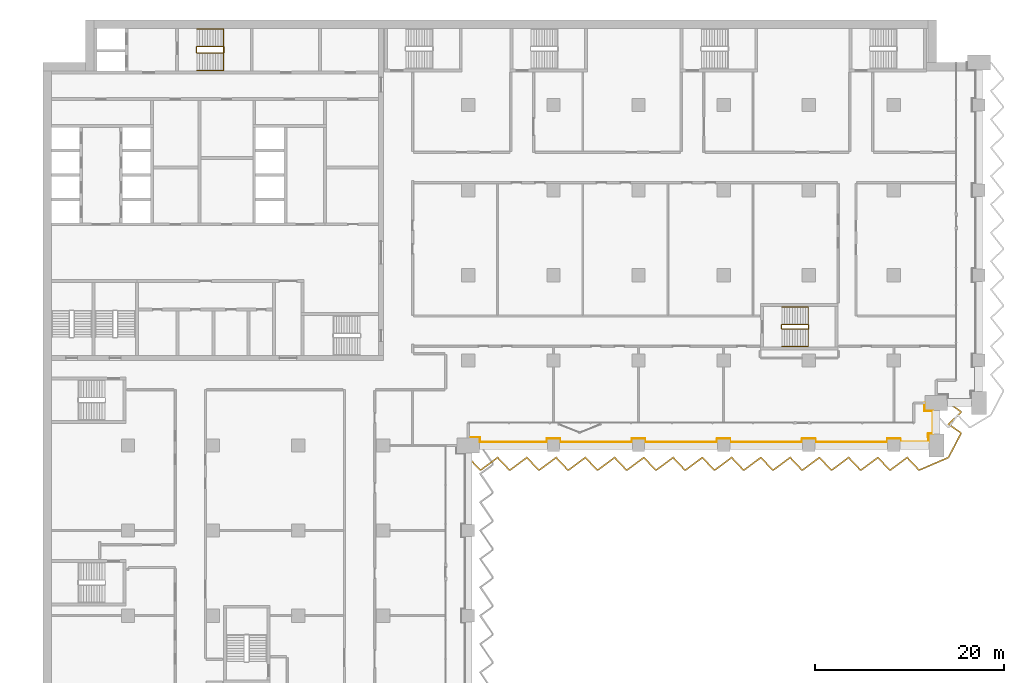
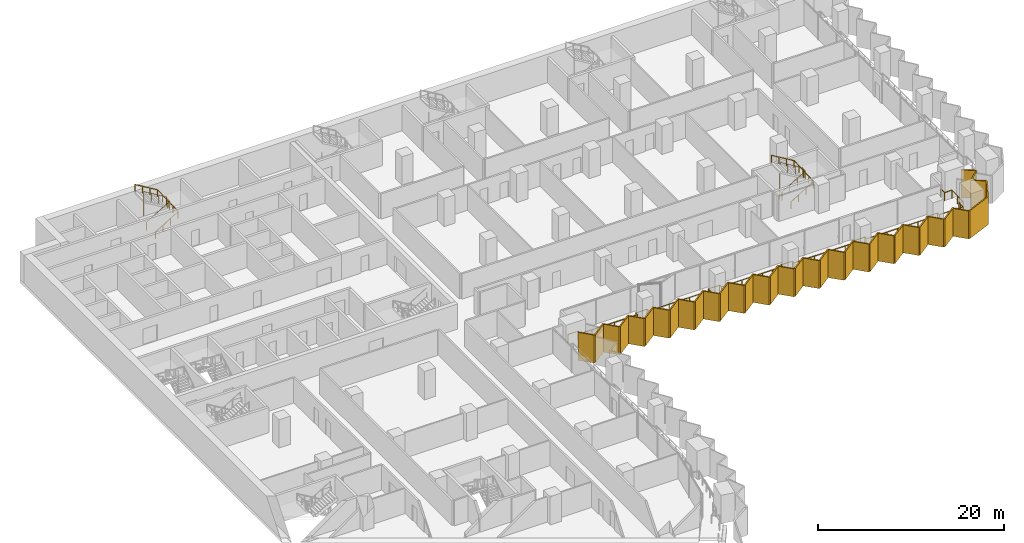
# One storey, part 26 of 28: 5 railings, 1 shading device.
"""IFC4 building model written with IfcOpenShell, lengths in metres."""

from ifc_helpers import new_model, si_unit, direction, frame, origin, origin_2d, place, context, subcontext, project, spatial, polyline, circle, outline, extrude, material, layer, layer_set, type_object, element, save


model = new_model("IFC4")

# Units and contexts
model_context = context("Model", 3, precision=1e-05, world=origin(), true_north=direction((0.0, 1.0)))
body_context = subcontext(model_context, "Body", "Model", "MODEL_VIEW")
ifc_project = project(units=[si_unit("LENGTHUNIT", "METRE"), si_unit("AREAUNIT", "SQUARE_METRE"), si_unit("VOLUMEUNIT", "CUBIC_METRE"), si_unit("PLANEANGLEUNIT", "RADIAN"), si_unit("MASSUNIT", "GRAM", prefix="KILO")], contexts=[model_context])

# Site, building, storey
site_placement = place(None, origin())
site = spatial("IfcSite", under=ifc_project, at=site_placement, CompositionType="ELEMENT")
building_placement = place(site_placement, origin())
building = spatial("IfcBuilding", under=site, at=building_placement, Name="Hunhe Ridgeline Campus", CompositionType="ELEMENT")
storey_placement = place(building_placement, frame((0.0, 0.0, 43.199951171875)))
storey = spatial("IfcBuildingStorey", under=building, at=storey_placement, Name="L09", CompositionType="ELEMENT", Elevation=43.199951171875)

# Railing
ifc_material_1 = material(Name="Steel Q355", Category="steel")
railing_type_1 = type_object("IfcRailingType", Name="Loggia guard 1100 Steel Q355", PredefinedType="GUARDRAIL", material=ifc_material_1)
railing_1_placement = place(storey_placement, frame((45.0, 54.8701171875, 0.0)))
element("IfcRailing", 1, at=railing_1_placement, inside=storey, type_object=railing_type_1, Name="Loggia guard 2", PredefinedType="GUARDRAIL", context=body_context, shape_type="SweptSolid", body=[
    extrude(circle(Radius=0.02392578125, at=origin_2d()), frame((0.0, 0.0, 1.076171875), z_axis=(1.0, 0.0, 0.0), x_axis=(0.0, 1.0, 0.0)), (0.0, 0.0, 1.0), 1.25),
    extrude(circle(Radius=0.02392578125, at=origin_2d()), frame((1.25, 0.0, 1.076171875), z_axis=(0.0, -1.0, 0.0), x_axis=(1.0, 0.0, 0.0)), (0.0, 0.0, 1.0), 0.52001953125),
    extrude(circle(Radius=0.02392578125, at=origin_2d()), frame((1.25, -0.52001953125, 1.076171875), z_axis=(1.0, 0.0, 0.0), x_axis=(0.0, 1.0, 0.0)), (0.0, 0.0, 1.0), 7.050048828125),
    extrude(circle(Radius=0.02392578125, at=origin_2d()), frame((8.300048828125, -0.52001953125, 1.076171875), z_axis=(0.0, 1.0, 0.0), x_axis=(-1.0, 0.0, 0.0)), (0.0, 0.0, 1.0), 0.369873046875),
    extrude(circle(Radius=0.02392578125, at=origin_2d()), frame((8.300048828125, -0.150146484375, 1.076171875), z_axis=(1.0, 0.0, 0.0), x_axis=(0.0, 1.0, 0.0)), (0.0, 0.0, 1.0), 1.39990234375),
    extrude(circle(Radius=0.02392578125, at=origin_2d()), frame((9.699951171875, -0.150146484375, 1.076171875), z_axis=(0.0, -1.0, 0.0), x_axis=(1.0, 0.0, 0.0)), (0.0, 0.0, 1.0), 0.369873046875),
    extrude(circle(Radius=0.02392578125, at=origin_2d()), frame((9.699951171875, -0.52001953125, 1.076171875), z_axis=(1.0, 0.0, 0.0), x_axis=(0.0, 1.0, 0.0)), (0.0, 0.0, 1.0), 7.60009765625),
    extrude(circle(Radius=0.02392578125, at=origin_2d()), frame((17.300048828125, -0.52001953125, 1.076171875), z_axis=(0.0, 1.0, 0.0), x_axis=(-1.0, 0.0, 0.0)), (0.0, 0.0, 1.0), 0.369873046875),
    extrude(circle(Radius=0.02392578125, at=origin_2d()), frame((17.300048828125, -0.150146484375, 1.076171875), z_axis=(1.0, 0.0, 0.0), x_axis=(0.0, 1.0, 0.0)), (0.0, 0.0, 1.0), 1.39990234375),
    extrude(circle(Radius=0.02392578125, at=origin_2d()), frame((18.699951171875, -0.150146484375, 1.076171875), z_axis=(0.0, -1.0, 0.0), x_axis=(1.0, 0.0, 0.0)), (0.0, 0.0, 1.0), 0.369873046875),
    extrude(circle(Radius=0.02392578125, at=origin_2d()), frame((18.699951171875, -0.52001953125, 1.076171875), z_axis=(1.0, 0.0, 0.0), x_axis=(0.0, 1.0, 0.0)), (0.0, 0.0, 1.0), 7.60009765625),
    extrude(circle(Radius=0.02392578125, at=origin_2d()), frame((26.300048828125, -0.52001953125, 1.076171875), z_axis=(0.0, 1.0, 0.0), x_axis=(-1.0, 0.0, 0.0)), (0.0, 0.0, 1.0), 0.369873046875),
    extrude(circle(Radius=0.02392578125, at=origin_2d()), frame((26.300048828125, -0.150146484375, 1.076171875), z_axis=(1.0, 0.0, 0.0), x_axis=(0.0, 1.0, 0.0)), (0.0, 0.0, 1.0), 1.39990234375),
    extrude(circle(Radius=0.02392578125, at=origin_2d()), frame((27.699951171875, -0.150146484375, 1.076171875), z_axis=(0.0, -1.0, 0.0), x_axis=(1.0, 0.0, 0.0)), (0.0, 0.0, 1.0), 0.369873046875),
    extrude(circle(Radius=0.02392578125, at=origin_2d()), frame((27.699951171875, -0.52001953125, 1.076171875), z_axis=(1.0, 0.0, 0.0), x_axis=(0.0, 1.0, 0.0)), (0.0, 0.0, 1.0), 7.60009765625),
    extrude(circle(Radius=0.02392578125, at=origin_2d()), frame((35.300048828125, -0.52001953125, 1.076171875), z_axis=(0.0, 1.0, 0.0), x_axis=(-1.0, 0.0, 0.0)), (0.0, 0.0, 1.0), 0.369873046875),
    extrude(circle(Radius=0.02392578125, at=origin_2d()), frame((35.300048828125, -0.150146484375, 1.076171875), z_axis=(1.0, 0.0, 0.0), x_axis=(0.0, 1.0, 0.0)), (0.0, 0.0, 1.0), 1.39990234375),
    extrude(circle(Radius=0.02392578125, at=origin_2d()), frame((36.699951171875, -0.150146484375, 1.076171875), z_axis=(0.0, -1.0, 0.0), x_axis=(1.0, 0.0, 0.0)), (0.0, 0.0, 1.0), 0.369873046875),
    extrude(circle(Radius=0.02392578125, at=origin_2d()), frame((36.699951171875, -0.52001953125, 1.076171875), z_axis=(1.0, 0.0, 0.0), x_axis=(0.0, 1.0, 0.0)), (0.0, 0.0, 1.0), 7.60009765625),
    extrude(circle(Radius=0.02392578125, at=origin_2d()), frame((44.300048828125, -0.52001953125, 1.076171875), z_axis=(0.0, 1.0, 0.0), x_axis=(-1.0, 0.0, 0.0)), (0.0, 0.0, 1.0), 0.369873046875),
    extrude(circle(Radius=0.02392578125, at=origin_2d()), frame((44.300048828125, -0.150146484375, 1.076171875), z_axis=(1.0, 0.0, 0.0), x_axis=(0.0, 1.0, 0.0)), (0.0, 0.0, 1.0), 1.39990234375),
    extrude(circle(Radius=0.02392578125, at=origin_2d()), frame((45.699951171875, -0.150146484375, 1.076171875), z_axis=(0.0, -1.0, 0.0), x_axis=(1.0, 0.0, 0.0)), (0.0, 0.0, 1.0), 0.369873046875),
    extrude(circle(Radius=0.02392578125, at=origin_2d()), frame((45.699951171875, -0.52001953125, 1.076171875), z_axis=(1.0, 0.0, 0.0), x_axis=(0.0, 1.0, 0.0)), (0.0, 0.0, 1.0), 2.949951171875),
    extrude(circle(Radius=0.02392578125, at=origin_2d()), frame((48.64990234375, -0.52001953125, 1.076171875), z_axis=(0.0, 1.0, 0.0), x_axis=(-1.0, 0.0, 0.0)), (0.0, 0.0, 1.0), 0.919921875),
    extrude(circle(Radius=0.02392578125, at=origin_2d()), frame((48.64990234375, 0.39990234375, 1.076171875), z_axis=(-0.049998438503, -0.998749295943, 0.0), x_axis=(0.998749295943, -0.049998438503, 0.0)), (0.0, 0.0, 1.0), 0.400390625),
    extrude(circle(Radius=0.02392578125, at=origin_2d()), frame((48.6298828125, 0.0, 1.076171875), z_axis=(0.0, 1.0, 0.0), x_axis=(-1.0, 0.0, 0.0)), (0.0, 0.0, 1.0), 0.3798828125),
    extrude(circle(Radius=0.02392578125, at=origin_2d()), frame((48.6298828125, 0.3798828125, 1.076171875), z_axis=(1.0, 0.0, 0.0), x_axis=(0.0, 1.0, 0.0)), (0.0, 0.0, 1.0), 0.52001953125),
    extrude(circle(Radius=0.02392578125, at=origin_2d()), frame((49.14990234375, 0.3798828125, 1.076171875), z_axis=(0.0, 1.0, 0.0), x_axis=(-1.0, 0.0, 0.0)), (0.0, 0.0, 1.0), 2.39990234375),
    extrude(circle(Radius=0.02392578125, at=origin_2d()), frame((49.14990234375, 2.77978515625, 1.076171875), z_axis=(-1.0, 0.0, 0.0), x_axis=(0.0, -1.0, 0.0)), (0.0, 0.0, 1.0), 0.919921875),
    extrude(circle(Radius=0.02392578125, at=origin_2d()), frame((48.22998046875, 2.77978515625, 1.076171875), z_axis=(0.0, 1.0, 0.0), x_axis=(-1.0, 0.0, 0.0)), (0.0, 0.0, 1.0), 0.85009765625),
    extrude(circle(Radius=0.02099609375, at=origin_2d()), origin(), (0.0, 0.0, 1.0), 1.052001953125),
    extrude(circle(Radius=0.02099609375, at=origin_2d()), frame((1.25, 0.0, 0.0)), (0.0, 0.0, 1.0), 1.052001953125),
    extrude(circle(Radius=0.02099609375, at=origin_2d()), frame((1.25, -0.52001953125, 0.0)), (0.0, 0.0, 1.0), 1.052001953125),
    extrude(circle(Radius=0.02099609375, at=origin_2d()), frame((2.659912109375, -0.52001953125, 0.0)), (0.0, 0.0, 1.0), 1.052001953125),
    extrude(circle(Radius=0.02099609375, at=origin_2d()), frame((4.070068359375, -0.52001953125, 0.0)), (0.0, 0.0, 1.0), 1.052001953125),
    extrude(circle(Radius=0.02099609375, at=origin_2d()), frame((5.47998046875, -0.52001953125, 0.0)), (0.0, 0.0, 1.0), 1.052001953125),
    extrude(circle(Radius=0.02099609375, at=origin_2d()), frame((6.89013671875, -0.52001953125, 0.0)), (0.0, 0.0, 1.0), 1.052001953125),
    extrude(circle(Radius=0.02099609375, at=origin_2d()), frame((8.300048828125, -0.52001953125, 0.0)), (0.0, 0.0, 1.0), 1.052001953125),
    extrude(circle(Radius=0.02099609375, at=origin_2d()), frame((8.300048828125, -0.150146484375, 0.0)), (0.0, 0.0, 1.0), 1.052001953125),
    extrude(circle(Radius=0.02099609375, at=origin_2d()), frame((9.699951171875, -0.150146484375, 0.0)), (0.0, 0.0, 1.0), 1.052001953125),
    extrude(circle(Radius=0.02099609375, at=origin_2d()), frame((9.699951171875, -0.52001953125, 0.0)), (0.0, 0.0, 1.0), 1.052001953125),
    extrude(circle(Radius=0.02099609375, at=origin_2d()), frame((10.966552734375, -0.52001953125, 0.0)), (0.0, 0.0, 1.0), 1.052001953125),
    extrude(circle(Radius=0.02099609375, at=origin_2d()), frame((12.2333984375, -0.52001953125, 0.0)), (0.0, 0.0, 1.0), 1.052001953125),
    extrude(circle(Radius=0.02099609375, at=origin_2d()), frame((13.5, -0.52001953125, 0.0)), (0.0, 0.0, 1.0), 1.052001953125),
    extrude(circle(Radius=0.02099609375, at=origin_2d()), frame((14.7666015625, -0.52001953125, 0.0)), (0.0, 0.0, 1.0), 1.052001953125),
    extrude(circle(Radius=0.02099609375, at=origin_2d()), frame((16.033447265625, -0.52001953125, 0.0)), (0.0, 0.0, 1.0), 1.052001953125),
    extrude(circle(Radius=0.02099609375, at=origin_2d()), frame((17.300048828125, -0.52001953125, 0.0)), (0.0, 0.0, 1.0), 1.052001953125),
    extrude(circle(Radius=0.02099609375, at=origin_2d()), frame((17.300048828125, -0.150146484375, 0.0)), (0.0, 0.0, 1.0), 1.052001953125),
    extrude(circle(Radius=0.02099609375, at=origin_2d()), frame((18.699951171875, -0.150146484375, 0.0)), (0.0, 0.0, 1.0), 1.052001953125),
    extrude(circle(Radius=0.02099609375, at=origin_2d()), frame((18.699951171875, -0.52001953125, 0.0)), (0.0, 0.0, 1.0), 1.052001953125),
    extrude(circle(Radius=0.02099609375, at=origin_2d()), frame((19.966552734375, -0.52001953125, 0.0)), (0.0, 0.0, 1.0), 1.052001953125),
    extrude(circle(Radius=0.02099609375, at=origin_2d()), frame((21.2333984375, -0.52001953125, 0.0)), (0.0, 0.0, 1.0), 1.052001953125),
    extrude(circle(Radius=0.02099609375, at=origin_2d()), frame((22.5, -0.52001953125, 0.0)), (0.0, 0.0, 1.0), 1.052001953125),
    extrude(circle(Radius=0.02099609375, at=origin_2d()), frame((23.7666015625, -0.52001953125, 0.0)), (0.0, 0.0, 1.0), 1.052001953125),
    extrude(circle(Radius=0.02099609375, at=origin_2d()), frame((25.033447265625, -0.52001953125, 0.0)), (0.0, 0.0, 1.0), 1.052001953125),
    extrude(circle(Radius=0.02099609375, at=origin_2d()), frame((26.300048828125, -0.52001953125, 0.0)), (0.0, 0.0, 1.0), 1.052001953125),
    extrude(circle(Radius=0.02099609375, at=origin_2d()), frame((26.300048828125, -0.150146484375, 0.0)), (0.0, 0.0, 1.0), 1.052001953125),
    extrude(circle(Radius=0.02099609375, at=origin_2d()), frame((27.699951171875, -0.150146484375, 0.0)), (0.0, 0.0, 1.0), 1.052001953125),
    extrude(circle(Radius=0.02099609375, at=origin_2d()), frame((27.699951171875, -0.52001953125, 0.0)), (0.0, 0.0, 1.0), 1.052001953125),
    extrude(circle(Radius=0.02099609375, at=origin_2d()), frame((28.966552734375, -0.52001953125, 0.0)), (0.0, 0.0, 1.0), 1.052001953125),
    extrude(circle(Radius=0.02099609375, at=origin_2d()), frame((30.2333984375, -0.52001953125, 0.0)), (0.0, 0.0, 1.0), 1.052001953125),
    extrude(circle(Radius=0.02099609375, at=origin_2d()), frame((31.5, -0.52001953125, 0.0)), (0.0, 0.0, 1.0), 1.052001953125),
    extrude(circle(Radius=0.02099609375, at=origin_2d()), frame((32.7666015625, -0.52001953125, 0.0)), (0.0, 0.0, 1.0), 1.052001953125),
    extrude(circle(Radius=0.02099609375, at=origin_2d()), frame((34.033447265625, -0.52001953125, 0.0)), (0.0, 0.0, 1.0), 1.052001953125),
    extrude(circle(Radius=0.02099609375, at=origin_2d()), frame((35.300048828125, -0.52001953125, 0.0)), (0.0, 0.0, 1.0), 1.052001953125),
    extrude(circle(Radius=0.02099609375, at=origin_2d()), frame((35.300048828125, -0.150146484375, 0.0)), (0.0, 0.0, 1.0), 1.052001953125),
    extrude(circle(Radius=0.02099609375, at=origin_2d()), frame((36.699951171875, -0.150146484375, 0.0)), (0.0, 0.0, 1.0), 1.052001953125),
    extrude(circle(Radius=0.02099609375, at=origin_2d()), frame((36.699951171875, -0.52001953125, 0.0)), (0.0, 0.0, 1.0), 1.052001953125),
    extrude(circle(Radius=0.02099609375, at=origin_2d()), frame((37.966552734375, -0.52001953125, 0.0)), (0.0, 0.0, 1.0), 1.052001953125),
    extrude(circle(Radius=0.02099609375, at=origin_2d()), frame((39.2333984375, -0.52001953125, 0.0)), (0.0, 0.0, 1.0), 1.052001953125),
    extrude(circle(Radius=0.02099609375, at=origin_2d()), frame((40.5, -0.52001953125, 0.0)), (0.0, 0.0, 1.0), 1.052001953125),
    extrude(circle(Radius=0.02099609375, at=origin_2d()), frame((41.7666015625, -0.52001953125, 0.0)), (0.0, 0.0, 1.0), 1.052001953125),
    extrude(circle(Radius=0.02099609375, at=origin_2d()), frame((43.033447265625, -0.52001953125, 0.0)), (0.0, 0.0, 1.0), 1.052001953125),
    extrude(circle(Radius=0.02099609375, at=origin_2d()), frame((44.300048828125, -0.52001953125, 0.0)), (0.0, 0.0, 1.0), 1.052001953125),
    extrude(circle(Radius=0.02099609375, at=origin_2d()), frame((44.300048828125, -0.150146484375, 0.0)), (0.0, 0.0, 1.0), 1.052001953125),
    extrude(circle(Radius=0.02099609375, at=origin_2d()), frame((45.699951171875, -0.150146484375, 0.0)), (0.0, 0.0, 1.0), 1.052001953125),
    extrude(circle(Radius=0.02099609375, at=origin_2d()), frame((45.699951171875, -0.52001953125, 0.0)), (0.0, 0.0, 1.0), 1.052001953125),
    extrude(circle(Radius=0.02099609375, at=origin_2d()), frame((47.1748046875, -0.52001953125, 0.0)), (0.0, 0.0, 1.0), 1.052001953125),
    extrude(circle(Radius=0.02099609375, at=origin_2d()), frame((48.64990234375, -0.52001953125, 0.0)), (0.0, 0.0, 1.0), 1.052001953125),
    extrude(circle(Radius=0.02099609375, at=origin_2d()), frame((48.64990234375, 0.39990234375, 0.0)), (0.0, 0.0, 1.0), 1.052001953125),
    extrude(circle(Radius=0.02099609375, at=origin_2d()), frame((48.6298828125, 0.0, 0.0)), (0.0, 0.0, 1.0), 1.052001953125),
    extrude(circle(Radius=0.02099609375, at=origin_2d()), frame((48.6298828125, 0.3798828125, 0.0)), (0.0, 0.0, 1.0), 1.052001953125),
    extrude(circle(Radius=0.02099609375, at=origin_2d()), frame((49.14990234375, 0.3798828125, 0.0)), (0.0, 0.0, 1.0), 1.052001953125),
    extrude(circle(Radius=0.02099609375, at=origin_2d()), frame((49.14990234375, 1.579833984375, 0.0)), (0.0, 0.0, 1.0), 1.052001953125),
    extrude(circle(Radius=0.02099609375, at=origin_2d()), frame((49.14990234375, 2.77978515625, 0.0)), (0.0, 0.0, 1.0), 1.052001953125),
    extrude(circle(Radius=0.02099609375, at=origin_2d()), frame((48.22998046875, 2.77978515625, 0.0)), (0.0, 0.0, 1.0), 1.052001953125),
    extrude(circle(Radius=0.02099609375, at=origin_2d()), frame((48.22998046875, 3.6298828125, 0.0)), (0.0, 0.0, 1.0), 1.052001953125),
])

# Shading device
ifc_material_2 = material(Name="Concrete C50", Category="concrete")
ifc_layer = layer(ifc_material_2, 0.14990234375)
ifc_layer_set = layer_set([ifc_layer], Name="Sawtooth concrete fin 150 Concrete C50")
shading_device_type = type_object("IfcShadingDeviceType", Name="Sawtooth concrete fin 150 Concrete C50", PredefinedType="USERDEFINED", material=ifc_layer_set)
shading_device_placement = place(storey_placement, frame((0.0, 0.0, -0.949951171875)))
element("IfcShadingDevice", 2, at=shading_device_placement, inside=storey, type_object=shading_device_type, Name="Concrete fin screen 2", ObjectType="FIN", PredefinedType="USERDEFINED", context=body_context, shape_type="SweptSolid", body=[
    extrude(outline(polyline([(45.054443359375, 52.7763671875), (44.945556640625, 52.673583984375), (46.19384765625, 51.35009765625), (46.370849609375, 51.35009765625), (48.0849609375, 52.625), (49.28759765625, 51.35009765625), (49.464599609375, 51.35009765625), (51.1787109375, 52.625), (52.38134765625, 51.35009765625), (52.558349609375, 51.35009765625), (54.2724609375, 52.625), (55.47509765625, 51.35009765625), (55.652099609375, 51.35009765625), (57.3662109375, 52.625), (58.56884765625, 51.35009765625), (58.745849609375, 51.35009765625), (60.4599609375, 52.625), (61.66259765625, 51.35009765625), (61.839599609375, 51.35009765625), (63.5537109375, 52.625), (64.75634765625, 51.35009765625), (64.933349609375, 51.35009765625), (66.6474609375, 52.625), (67.85009765625, 51.35009765625), (68.027099609375, 51.35009765625), (69.7412109375, 52.625), (70.94384765625, 51.35009765625), (71.120849609375, 51.35009765625), (72.8349609375, 52.625), (74.03759765625, 51.35009765625), (74.214599609375, 51.35009765625), (75.9287109375, 52.625), (77.13134765625, 51.35009765625), (77.308349609375, 51.35009765625), (79.0224609375, 52.625), (80.22509765625, 51.35009765625), (80.402099609375, 51.35009765625), (82.1162109375, 52.625), (83.31884765625, 51.35009765625), (83.495849609375, 51.35009765625), (85.2099609375, 52.625), (86.41259765625, 51.35009765625), (86.589599609375, 51.35009765625), (88.3037109375, 52.625), (89.50634765625, 51.35009765625), (89.683349609375, 51.35009765625), (91.3974609375, 52.625), (92.60009765625, 51.35009765625), (92.767822265625, 51.35009765625), (95.8291015625, 52.666748046875), (97.14990234375, 55.207763671875), (97.14990234375, 55.38525390625), (95.8935546875, 56.2587890625), (97.14990234375, 57.44384765625), (97.14990234375, 57.63525390625), (95.81787109375, 58.5615234375), (95.732177734375, 58.4384765625), (97.0, 57.556884765625), (97.0, 57.508544921875), (95.65625, 56.2412109375), (97.0, 55.306884765625), (97.0, 55.244384765625), (95.720703125, 52.783447265625), (92.73681640625, 51.5), (92.664794921875, 51.5), (91.4150390625, 52.824951171875), (89.6337890625, 51.5), (89.571044921875, 51.5), (88.3212890625, 52.824951171875), (86.5400390625, 51.5), (86.477294921875, 51.5), (85.2275390625, 52.824951171875), (83.4462890625, 51.5), (83.383544921875, 51.5), (82.1337890625, 52.824951171875), (80.3525390625, 51.5), (80.289794921875, 51.5), (79.0400390625, 52.824951171875), (77.2587890625, 51.5), (77.196044921875, 51.5), (75.9462890625, 52.824951171875), (74.1650390625, 51.5), (74.102294921875, 51.5), (72.8525390625, 52.824951171875), (71.0712890625, 51.5), (71.008544921875, 51.5), (69.7587890625, 52.824951171875), (67.9775390625, 51.5), (67.914794921875, 51.5), (66.6650390625, 52.824951171875), (64.8837890625, 51.5), (64.821044921875, 51.5), (63.5712890625, 52.824951171875), (61.7900390625, 51.5), (61.727294921875, 51.5), (60.4775390625, 52.824951171875), (58.6962890625, 51.5), (58.633544921875, 51.5), (57.3837890625, 52.824951171875), (55.6025390625, 51.5), (55.539794921875, 51.5), (54.2900390625, 52.824951171875), (52.5087890625, 51.5), (52.446044921875, 51.5), (51.1962890625, 52.824951171875), (49.4150390625, 51.5), (49.352294921875, 51.5), (48.1025390625, 52.824951171875), (46.3212890625, 51.5), (46.258544921875, 51.5), (45.054443359375, 52.7763671875)])), origin(), (0.0, 0.0, 1.0), 3.64990234375),
])

# Railings
ifc_material_3 = material(Name="Stainless steel balustrade", Category="steel")
railing_type_2 = type_object("IfcRailingType", Name="Stair guard 1100 stainless", PredefinedType="GUARDRAIL", material=ifc_material_3)
railing_2_placement = place(storey_placement, frame((16.300048828125, 95.5, 0.168212890625)))
element("IfcRailing", 3, at=railing_2_placement, inside=storey, type_object=railing_type_2, Name="L09 stair S1 guard", PredefinedType="GUARDRAIL", context=body_context, shape_type="SweptSolid", body=[
    extrude(circle(Radius=0.02392578125, at=origin_2d()), frame((0.0, 0.0, 1.076171875), z_axis=(0.857242210791, 0.0, 0.514913383045), x_axis=(0.0, 1.0, 0.0)), (0.0, 0.0, 1.0), 3.266357421875),
    extrude(circle(Radius=0.02392578125, at=origin_2d()), frame((2.800048828125, 0.0, 2.7578125), z_axis=(0.705375805398, 0.708833529934, 0.0), x_axis=(-0.708833529934, 0.705375805398, 0.0)), (0.0, 0.0, 1.0), 0.070556640625),
    extrude(circle(Radius=0.02392578125, at=origin_2d()), frame((2.849853515625, 0.050048828125, 2.7578125), z_axis=(0.0, 1.0, 0.0), x_axis=(-1.0, 0.0, 0.0)), (0.0, 0.0, 1.0), 0.599853515625),
    extrude(circle(Radius=0.02392578125, at=origin_2d()), frame((2.849853515625, 0.64990234375, 2.7578125), z_axis=(-0.273006030465, 0.27434429532, 0.922064485248), x_axis=(-0.708833529934, -0.705375805398, 0.0)), (0.0, 0.0, 1.0), 0.182373046875),
    extrude(circle(Radius=0.02392578125, at=origin_2d()), frame((2.800048828125, 0.699951171875, 2.92626953125), z_axis=(-0.857275202839, 0.0, 0.514858452973), x_axis=(0.0, -1.0, 0.0)), (0.0, 0.0, 1.0), 3.26611328125),
    extrude(circle(Radius=0.02392578125, at=origin_2d()), frame((0.0, 0.699951171875, 4.60791015625), z_axis=(-0.013524414389, -0.013524414389, -0.999817073484), x_axis=(0.707106781187, -0.707106781187, 0.0)), (0.0, 0.0, 1.0), 3.70068359375),
    extrude(circle(Radius=0.02392578125, at=origin_2d()), frame((-0.050048828125, 0.64990234375, 0.90771484375), z_axis=(0.0, -1.0, 0.0), x_axis=(1.0, 0.0, 0.0)), (0.0, 0.0, 1.0), 0.599853515625),
    extrude(circle(Radius=0.02099609375, at=origin_2d()), origin(), (0.0, 0.0, 1.0), 1.052001953125),
    extrude(circle(Radius=0.02099609375, at=origin_2d()), frame((0.933349609375, 0.0, 0.560546875)), (0.0, 0.0, 1.0), 1.052001953125),
    extrude(circle(Radius=0.02099609375, at=origin_2d()), frame((1.86669921875, 0.0, 1.121337890625)), (0.0, 0.0, 1.0), 1.052001953125),
    extrude(circle(Radius=0.02099609375, at=origin_2d()), frame((2.800048828125, 0.0, 1.681884765625)), (0.0, 0.0, 1.0), 1.052001953125),
    extrude(circle(Radius=0.02099609375, at=origin_2d()), frame((2.849853515625, 0.050048828125, 1.681884765625)), (0.0, 0.0, 1.0), 1.052001953125),
    extrude(circle(Radius=0.02099609375, at=origin_2d()), frame((2.849853515625, 0.64990234375, 1.681884765625)), (0.0, 0.0, 1.0), 1.052001953125),
    extrude(circle(Radius=0.02099609375, at=origin_2d()), frame((2.800048828125, 0.699951171875, 1.85009765625)), (0.0, 0.0, 1.0), 1.052001953125),
    extrude(circle(Radius=0.02099609375, at=origin_2d()), frame((1.86669921875, 0.699951171875, 2.41064453125)), (0.0, 0.0, 1.0), 1.052001953125),
    extrude(circle(Radius=0.02099609375, at=origin_2d()), frame((0.933349609375, 0.699951171875, 2.97119140625)), (0.0, 0.0, 1.0), 1.052001953125),
    extrude(circle(Radius=0.02099609375, at=origin_2d()), frame((0.0, 0.699951171875, 3.53173828125)), (0.0, 0.0, 1.0), 1.052001953125),
    extrude(circle(Radius=0.02099609375, at=origin_2d()), frame((-0.012451171875, 0.6875, 2.606689453125)), (0.0, 0.0, 1.0), 1.052001953125),
    extrude(circle(Radius=0.02099609375, at=origin_2d()), frame((-0.02490234375, 0.6748046875, 1.681640625)), (0.0, 0.0, 1.0), 1.052001953125),
    extrude(circle(Radius=0.02099609375, at=origin_2d()), frame((-0.03759765625, 0.662353515625, 0.7568359375)), (0.0, 0.0, 1.0), 1.052001953125),
    extrude(circle(Radius=0.02099609375, at=origin_2d()), frame((-0.050048828125, 0.64990234375, -0.168212890625)), (0.0, 0.0, 1.0), 1.052001953125),
    extrude(circle(Radius=0.02099609375, at=origin_2d()), frame((-0.050048828125, 0.050048828125, -0.168212890625)), (0.0, 0.0, 1.0), 1.052001953125),
])
railing_3_placement = place(storey_placement, frame((78.14990234375, 66.300048828125, 0.168212890625)))
element("IfcRailing", 4, at=railing_3_placement, inside=storey, type_object=railing_type_2, Name="L09 stair E5 guard", PredefinedType="GUARDRAIL", context=body_context, shape_type="SweptSolid", body=[
    extrude(circle(Radius=0.02392578125, at=origin_2d()), frame((0.0, 0.0, 1.076171875), z_axis=(0.857242210791, 0.0, 0.514913383045), x_axis=(0.0, 1.0, 0.0)), (0.0, 0.0, 1.0), 3.266357421875),
    extrude(circle(Radius=0.02392578125, at=origin_2d()), frame((2.800048828125, 0.0, 2.7578125), z_axis=(0.707106781187, 0.707106781187, 0.0), x_axis=(-0.707106781187, 0.707106781187, 0.0)), (0.0, 0.0, 1.0), 0.07080078125),
    extrude(circle(Radius=0.02392578125, at=origin_2d()), frame((2.85009765625, 0.050048828125, 2.7578125), z_axis=(0.0, 1.0, 0.0), x_axis=(-1.0, 0.0, 0.0)), (0.0, 0.0, 1.0), 0.39990234375),
    extrude(circle(Radius=0.02392578125, at=origin_2d()), frame((2.85009765625, 0.449951171875, 2.7578125), z_axis=(-0.274243871929, 0.274243871929, 0.92172696468), x_axis=(-0.707106781187, -0.707106781187, 0.0)), (0.0, 0.0, 1.0), 0.1826171875),
    extrude(circle(Radius=0.02392578125, at=origin_2d()), frame((2.800048828125, 0.5, 2.92626953125), z_axis=(-0.857275202839, 0.0, 0.514858452973), x_axis=(0.0, -1.0, 0.0)), (0.0, 0.0, 1.0), 3.26611328125),
    extrude(circle(Radius=0.02392578125, at=origin_2d()), frame((0.0, 0.5, 4.60791015625), z_axis=(-0.013458453615, -0.013524426427, -0.999817963389), x_axis=(0.708833529934, -0.705375805398, 0.0)), (0.0, 0.0, 1.0), 3.70068359375),
    extrude(circle(Radius=0.02392578125, at=origin_2d()), frame((-0.0498046875, 0.449951171875, 0.90771484375), z_axis=(0.0, -1.0, 0.0), x_axis=(1.0, 0.0, 0.0)), (0.0, 0.0, 1.0), 0.39990234375),
    extrude(circle(Radius=0.02099609375, at=origin_2d()), origin(), (0.0, 0.0, 1.0), 1.052001953125),
    extrude(circle(Radius=0.02099609375, at=origin_2d()), frame((0.933349609375, 0.0, 0.560546875)), (0.0, 0.0, 1.0), 1.052001953125),
    extrude(circle(Radius=0.02099609375, at=origin_2d()), frame((1.86669921875, 0.0, 1.121337890625)), (0.0, 0.0, 1.0), 1.052001953125),
    extrude(circle(Radius=0.02099609375, at=origin_2d()), frame((2.800048828125, 0.0, 1.681884765625)), (0.0, 0.0, 1.0), 1.052001953125),
    extrude(circle(Radius=0.02099609375, at=origin_2d()), frame((2.85009765625, 0.050048828125, 1.681884765625)), (0.0, 0.0, 1.0), 1.052001953125),
    extrude(circle(Radius=0.02099609375, at=origin_2d()), frame((2.85009765625, 0.449951171875, 1.681884765625)), (0.0, 0.0, 1.0), 1.052001953125),
    extrude(circle(Radius=0.02099609375, at=origin_2d()), frame((2.800048828125, 0.5, 1.85009765625)), (0.0, 0.0, 1.0), 1.052001953125),
    extrude(circle(Radius=0.02099609375, at=origin_2d()), frame((1.86669921875, 0.5, 2.41064453125)), (0.0, 0.0, 1.0), 1.052001953125),
    extrude(circle(Radius=0.02099609375, at=origin_2d()), frame((0.933349609375, 0.5, 2.97119140625)), (0.0, 0.0, 1.0), 1.052001953125),
    extrude(circle(Radius=0.02099609375, at=origin_2d()), frame((0.0, 0.5, 3.53173828125)), (0.0, 0.0, 1.0), 1.052001953125),
    extrude(circle(Radius=0.02099609375, at=origin_2d()), frame((-0.012451171875, 0.487548828125, 2.606689453125)), (0.0, 0.0, 1.0), 1.052001953125),
    extrude(circle(Radius=0.02099609375, at=origin_2d()), frame((-0.02490234375, 0.47509765625, 1.681640625)), (0.0, 0.0, 1.0), 1.052001953125),
    extrude(circle(Radius=0.02099609375, at=origin_2d()), frame((-0.037353515625, 0.46240234375, 0.7568359375)), (0.0, 0.0, 1.0), 1.052001953125),
    extrude(circle(Radius=0.02099609375, at=origin_2d()), frame((-0.0498046875, 0.449951171875, -0.168212890625)), (0.0, 0.0, 1.0), 1.052001953125),
    extrude(circle(Radius=0.02099609375, at=origin_2d()), frame((-0.0498046875, 0.050048828125, -0.168212890625)), (0.0, 0.0, 1.0), 1.052001953125),
])
ifc_material_4 = material(Name="Stainless steel handrail", Category="steel")
railing_type_3 = type_object("IfcRailingType", Name="Stair handrail 900 stainless", PredefinedType="HANDRAIL", material=ifc_material_4)
railing_4_placement = place(storey_placement, frame((16.300048828125, 93.64990234375, 0.168212890625)))
element("IfcRailing", 5, at=railing_4_placement, inside=storey, type_object=railing_type_3, Name="L09 stair S1 handrail", PredefinedType="HANDRAIL", context=body_context, shape_type="SweptSolid", body=[
    extrude(circle(Radius=0.02392578125, at=origin_2d()), frame((0.0, 0.0, 0.8759765625), z_axis=(0.857242210791, 0.0, 0.514913383045), x_axis=(0.0, 1.0, 0.0)), (0.0, 0.0, 1.0), 3.266357421875),
    extrude(circle(Radius=0.02392578125, at=origin_2d()), frame((2.800048828125, 0.0, 2.5576171875), z_axis=(0.0, 0.999270074432, 0.038201025428), x_axis=(-1.0, 0.0, 0.0)), (0.0, 0.0, 1.0), 4.4033203125),
    extrude(circle(Radius=0.02392578125, at=origin_2d()), frame((2.800048828125, 4.400146484375, 2.72607421875), z_axis=(-0.857275202839, 0.0, 0.514858452973), x_axis=(0.0, -1.0, 0.0)), (0.0, 0.0, 1.0), 3.26611328125),
    extrude(circle(Radius=0.02099609375, at=origin_2d()), origin(), (0.0, 0.0, 1.0), 0.851806640625),
    extrude(circle(Radius=0.02099609375, at=origin_2d()), frame((0.933349609375, 0.0, 0.560546875)), (0.0, 0.0, 1.0), 0.851806640625),
    extrude(circle(Radius=0.02099609375, at=origin_2d()), frame((1.86669921875, 0.0, 1.121337890625)), (0.0, 0.0, 1.0), 0.851806640625),
    extrude(circle(Radius=0.02099609375, at=origin_2d()), frame((2.800048828125, 0.0, 1.681884765625)), (0.0, 0.0, 1.0), 0.851806640625),
    extrude(circle(Radius=0.02099609375, at=origin_2d()), frame((2.800048828125, 1.10009765625, 1.723876953125)), (0.0, 0.0, 1.0), 0.851806640625),
    extrude(circle(Radius=0.02099609375, at=origin_2d()), frame((2.800048828125, 2.2001953125, 1.76611328125)), (0.0, 0.0, 1.0), 0.851806640625),
    extrude(circle(Radius=0.02099609375, at=origin_2d()), frame((2.800048828125, 3.300048828125, 1.80810546875)), (0.0, 0.0, 1.0), 0.851806640625),
    extrude(circle(Radius=0.02099609375, at=origin_2d()), frame((2.800048828125, 4.400146484375, 1.85009765625)), (0.0, 0.0, 1.0), 0.851806640625),
    extrude(circle(Radius=0.02099609375, at=origin_2d()), frame((1.86669921875, 4.400146484375, 2.41064453125)), (0.0, 0.0, 1.0), 0.851806640625),
    extrude(circle(Radius=0.02099609375, at=origin_2d()), frame((0.933349609375, 4.400146484375, 2.97119140625)), (0.0, 0.0, 1.0), 0.851806640625),
    extrude(circle(Radius=0.02099609375, at=origin_2d()), frame((0.0, 4.400146484375, 3.53173828125)), (0.0, 0.0, 1.0), 0.851806640625),
])
railing_5_placement = place(storey_placement, frame((78.14990234375, 64.449951171875, 0.168212890625)))
element("IfcRailing", 6, at=railing_5_placement, inside=storey, type_object=railing_type_3, Name="L09 stair E5 handrail", PredefinedType="HANDRAIL", context=body_context, shape_type="SweptSolid", body=[
    extrude(circle(Radius=0.02392578125, at=origin_2d()), frame((0.0, 0.0, 0.8759765625), z_axis=(0.857242210791, 0.0, 0.514913383045), x_axis=(0.0, 1.0, 0.0)), (0.0, 0.0, 1.0), 3.266357421875),
    extrude(circle(Radius=0.02392578125, at=origin_2d()), frame((2.800048828125, 0.0, 2.5576171875), z_axis=(0.0, 0.999198916169, 0.040019069537), x_axis=(-1.0, 0.0, 0.0)), (0.0, 0.0, 1.0), 4.203369140625),
    extrude(circle(Radius=0.02392578125, at=origin_2d()), frame((2.800048828125, 4.199951171875, 2.72607421875), z_axis=(-0.857275202839, 0.0, 0.514858452973), x_axis=(0.0, -1.0, 0.0)), (0.0, 0.0, 1.0), 3.26611328125),
    extrude(circle(Radius=0.02099609375, at=origin_2d()), origin(), (0.0, 0.0, 1.0), 0.851806640625),
    extrude(circle(Radius=0.02099609375, at=origin_2d()), frame((0.933349609375, 0.0, 0.560546875)), (0.0, 0.0, 1.0), 0.851806640625),
    extrude(circle(Radius=0.02099609375, at=origin_2d()), frame((1.86669921875, 0.0, 1.121337890625)), (0.0, 0.0, 1.0), 0.851806640625),
    extrude(circle(Radius=0.02099609375, at=origin_2d()), frame((2.800048828125, 0.0, 1.681884765625)), (0.0, 0.0, 1.0), 0.851806640625),
    extrude(circle(Radius=0.02099609375, at=origin_2d()), frame((2.800048828125, 1.050048828125, 1.723876953125)), (0.0, 0.0, 1.0), 0.851806640625),
    extrude(circle(Radius=0.02099609375, at=origin_2d()), frame((2.800048828125, 2.10009765625, 1.76611328125)), (0.0, 0.0, 1.0), 0.851806640625),
    extrude(circle(Radius=0.02099609375, at=origin_2d()), frame((2.800048828125, 3.14990234375, 1.80810546875)), (0.0, 0.0, 1.0), 0.851806640625),
    extrude(circle(Radius=0.02099609375, at=origin_2d()), frame((2.800048828125, 4.199951171875, 1.85009765625)), (0.0, 0.0, 1.0), 0.851806640625),
    extrude(circle(Radius=0.02099609375, at=origin_2d()), frame((1.86669921875, 4.199951171875, 2.41064453125)), (0.0, 0.0, 1.0), 0.851806640625),
    extrude(circle(Radius=0.02099609375, at=origin_2d()), frame((0.933349609375, 4.199951171875, 2.97119140625)), (0.0, 0.0, 1.0), 0.851806640625),
    extrude(circle(Radius=0.02099609375, at=origin_2d()), frame((0.0, 4.199951171875, 3.53173828125)), (0.0, 0.0, 1.0), 0.851806640625),
])

save(model, "model.ifc")
